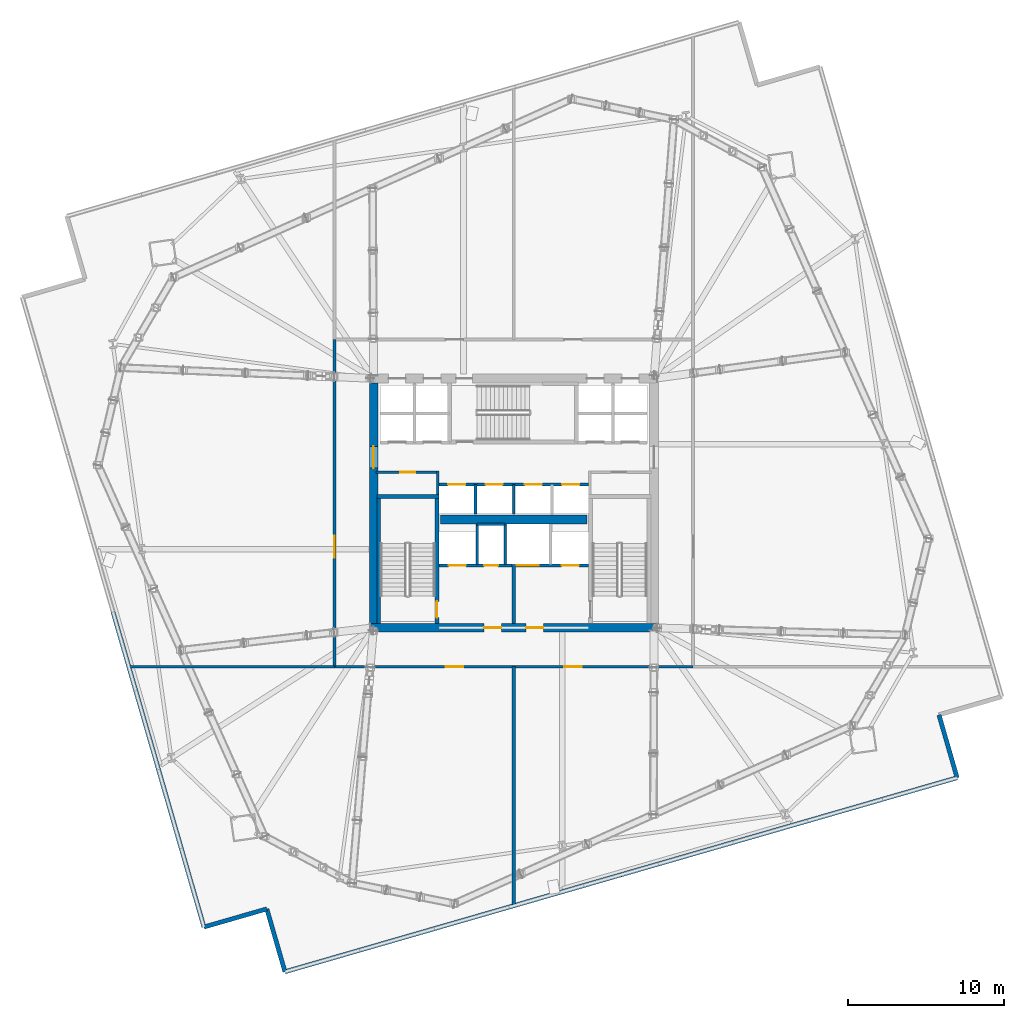
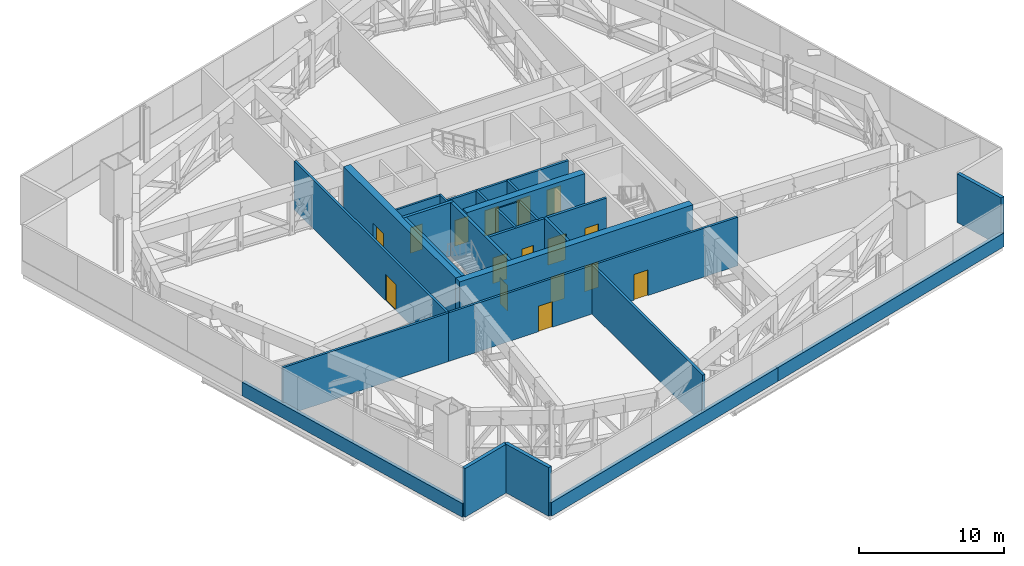
# One storey, part 12 of 19: 27 walls, 16 doors, 16 openings.
"""IFC4 building model written with IfcOpenShell, lengths in metres."""

from ifc_helpers import new_model, si_unit, direction, frame, frame_2d, origin, place, context, subcontext, project, spatial, rectangle, extrude, material, layer, layer_set, type_object, element, fill, save


model = new_model("IFC4")

# Units and contexts
model_context = context("Model", 3, precision=1e-05, world=origin(), true_north=direction((0.0, 1.0)))
body_context = subcontext(model_context, "Body", "Model", "MODEL_VIEW")
ifc_project = project(units=[si_unit("LENGTHUNIT", "METRE"), si_unit("AREAUNIT", "SQUARE_METRE"), si_unit("VOLUMEUNIT", "CUBIC_METRE"), si_unit("PLANEANGLEUNIT", "RADIAN"), si_unit("MASSUNIT", "GRAM", prefix="KILO")], contexts=[model_context])

# Site, building, storey
site_placement = place(None, origin())
site = spatial("IfcSite", under=ifc_project, at=site_placement, CompositionType="ELEMENT")
building_placement = place(site_placement, origin())
building = spatial("IfcBuilding", under=site, at=building_placement, Name="Haldenkirk Collegiate Tower", CompositionType="ELEMENT")
storey_placement = place(building_placement, frame((0.0, 0.0, 81.449951171875)))
storey = spatial("IfcBuildingStorey", under=building, at=storey_placement, Name="L19", CompositionType="ELEMENT", Elevation=81.449951171875)

# Wall, openings, doors
ifc_material_1 = material(Name="Concrete f'c 70 MPa", Category="concrete")
ifc_layer_1 = layer(ifc_material_1, 0.550048828125)
ifc_layer_set_1 = layer_set([ifc_layer_1], Name="Concrete f'c 70 MPa")
wall_type_1 = type_object("IfcWallType", Name="WL-CORE-550", PredefinedType="SHEAR", material=ifc_layer_set_1)
wall_1_placement = place(storey_placement, frame((26.72509765625, 18.0, 0.0), z_axis=(0.0, 0.0, 1.0), x_axis=(1.0, 0.0, 0.0)))
wall_1 = element("IfcWall", 1, at=wall_1_placement, inside=storey, type_object=wall_type_1, Name="L19 central core shear wall S", PredefinedType="SHEAR", context=body_context, shape_type="SweptSolid", body=[
    extrude(rectangle(XDim=18.5498046875, YDim=0.550048828125, at=frame_2d((9.27490234375, 0.0))), origin(), (0.0, 0.0, 1.0), 4.5),
])
opening_1_placement = place(wall_1_placement, frame((7.375, 0.0, 0.0)))
opening_1 = element("IfcOpeningElement", 2, at=opening_1_placement, cuts=wall_1, Name="Opening D-02", PredefinedType="OPENING", context=body_context, shape_type="SweptSolid", body=[
    extrude(rectangle(XDim=1.10009765625, YDim=2.14990234375, at=frame_2d((0.550048828125, 1.074951171875))), frame((0.0, 0.284912109375, 0.0), z_axis=(0.0, -1.0, 0.0), x_axis=(1.0, 0.0, 0.0)), (0.0, 0.0, 1.0), 0.570068359375),
])
opening_2_placement = place(wall_1_placement, frame((10.074951171875, 0.0, 0.0)))
opening_2 = element("IfcOpeningElement", 3, at=opening_2_placement, cuts=wall_1, Name="Opening D-02", PredefinedType="OPENING", context=body_context, shape_type="SweptSolid", body=[
    extrude(rectangle(XDim=1.10009765625, YDim=2.14990234375, at=frame_2d((0.550048828125, 1.074951171875))), frame((0.0, 0.284912109375, 0.0), z_axis=(0.0, -1.0, 0.0), x_axis=(1.0, 0.0, 0.0)), (0.0, 0.0, 1.0), 0.570068359375),
])
ifc_material_2 = material(Name="Galvanized fire-rated hollow steel door", Category="steel")
ifc_layer_2 = layer(ifc_material_2, 0.06005859375)
ifc_layer_set_2 = layer_set([ifc_layer_2], Name="Galvanized fire-rated hollow steel door")
door_type_1 = type_object("IfcDoorType", Name="DR-STAIR-FD90-1100", OperationType="NOTDEFINED", PredefinedType="DOOR", material=ifc_layer_set_2)
door_1_placement = place(opening_1_placement, origin())
door_1 = element("IfcDoor", 4, at=door_1_placement, inside=storey, type_object=door_type_1, Name="L19 Firefighting Lobby 1 door", OperationType="SINGLE_SWING_RIGHT", OverallHeight=2.14990234375, OverallWidth=1.10009765625, PredefinedType="DOOR", context=body_context, shape_type="SweptSolid", body=[
    extrude(rectangle(XDim=1.10009765625, YDim=2.14990234375, at=frame_2d((0.550048828125, 1.074951171875))), frame((0.0, 0.02490234375, 0.0), z_axis=(0.0, -1.0, 0.0), x_axis=(1.0, 0.0, 0.0)), (0.0, 0.0, 1.0), 0.050048828125),
])
fill(opening_1, door_1)
door_2_placement = place(opening_2_placement, origin())
door_2 = element("IfcDoor", 5, at=door_2_placement, inside=storey, type_object=door_type_1, Name="L19 Firefighting Lobby 2 door", OperationType="SINGLE_SWING_LEFT", OverallHeight=2.14990234375, OverallWidth=1.10009765625, PredefinedType="DOOR", context=body_context, shape_type="SweptSolid", body=[
    extrude(rectangle(XDim=1.10009765625, YDim=2.14990234375, at=frame_2d((0.550048828125, 1.074951171875))), frame((0.0, 0.02490234375, 0.0), z_axis=(0.0, -1.0, 0.0), x_axis=(1.0, 0.0, 0.0)), (0.0, 0.0, 1.0), 0.050048828125),
])
fill(opening_2, door_2)

# Wall, opening, door
wall_2_placement = place(storey_placement, frame((27.0, 18.27490234375, 0.0), z_axis=(0.0, 0.0, 1.0), x_axis=(0.0, 1.0, 0.0)))
wall_2 = element("IfcWall", 6, at=wall_2_placement, inside=storey, type_object=wall_type_1, Name="L19 central core shear wall W", PredefinedType="SHEAR", context=body_context, shape_type="SweptSolid", body=[
    extrude(rectangle(XDim=15.4501953125, YDim=0.550048828125, at=frame_2d((7.72509765625, 0.0))), origin(), (0.0, 0.0, 1.0), 4.5),
])
opening_3_placement = place(wall_2_placement, frame((9.965087890625, 0.0, 0.0)))
opening_3 = element("IfcOpeningElement", 7, at=opening_3_placement, cuts=wall_2, Name="Opening D-03", PredefinedType="OPENING", context=body_context, shape_type="SweptSolid", body=[
    extrude(rectangle(XDim=1.39990234375, YDim=2.199951171875, at=frame_2d((0.699951171875, 1.10009765625))), frame((0.0, 0.284912109375, 0.0), z_axis=(0.0, -1.0, 0.0), x_axis=(1.0, 0.0, 0.0)), (0.0, 0.0, 1.0), 0.570068359375),
])
ifc_layer_3 = layer(ifc_material_2, 0.06005859375)
ifc_layer_set_3 = layer_set([ifc_layer_3], Name="Galvanized fire-rated hollow steel door")
door_type_2 = type_object("IfcDoorType", Name="DR-LOBBY-FD90-1400", OperationType="NOTDEFINED", PredefinedType="DOOR", material=ifc_layer_set_3)
door_3_placement = place(opening_3_placement, origin())
door_3 = element("IfcDoor", 8, at=door_3_placement, inside=storey, type_object=door_type_2, Name="L19 west lift lobby portal", OperationType="DOUBLE_DOOR_SINGLE_SWING", OverallHeight=2.199951171875, OverallWidth=1.39990234375, PredefinedType="DOOR", context=body_context, shape_type="SweptSolid", body=[
    extrude(rectangle(XDim=1.39990234375, YDim=2.199951171875, at=frame_2d((0.699951171875, 1.10009765625))), frame((0.0, 0.02490234375, 0.0), z_axis=(0.0, -1.0, 0.0), x_axis=(1.0, 0.0, 0.0)), (0.0, 0.0, 1.0), 0.050048828125),
])
fill(opening_3, door_3)

# Walls
wall_3_placement = place(storey_placement, frame((31.31005859375, 24.949951171875, 0.0), z_axis=(0.0, 0.0, 1.0), x_axis=(1.0, 0.0, 0.0)))
element("IfcWall", 9, at=wall_3_placement, inside=storey, type_object=wall_type_1, Name="L19 central core spine shear wall", PredefinedType="SHEAR", context=body_context, shape_type="SweptSolid", body=[
    extrude(rectangle(XDim=9.3798828125, YDim=0.550048828125, at=frame_2d((4.68994140625, 0.0))), origin(), (0.0, 0.0, 1.0), 4.5),
])
ifc_material_3 = material(Name="Precast concrete f'c 40 MPa", Category="concrete")
ifc_layer_4 = layer(ifc_material_3, 0.280029296875)
ifc_layer_set_4 = layer_set([ifc_layer_4], Name="Precast concrete f'c 40 MPa")
wall_type_2 = type_object("IfcWallType", Name="WL-EXT-PLT-280", PredefinedType="STANDARD", material=ifc_layer_set_4)
for number, where, z_axis, x_axis, name in (
    (10, (64.453857421875, 8.37451171875, 0.0), (0.0, 0.0, 1.0), (-0.960778077815, -0.277318382351, 0.0), "L19 plant room precast spandrel 01A"),
    (11, (42.88427734375, 2.148681640625, 0.0), (0.0, 0.0, 1.0), (-0.960778077815, -0.277318382351, 0.0), "L19 plant room precast spandrel 01B"),
):
    element("IfcWall", number, at=place(storey_placement, frame(where, z_axis=z_axis, x_axis=x_axis)), inside=storey, type_object=wall_type_2, Name=name, PredefinedType="STANDARD", context=body_context, shape_type="SweptSolid", body=[
        extrude(rectangle(XDim=22.4501953125, YDim=0.280029296875, at=frame_2d((11.22509765625, 0.0))), origin(), (0.0, 0.0, 1.0), 1.150146484375),
    ])
wall_4_placement = place(storey_placement, frame((63.2890625, 12.40966796875, 0.0), z_axis=(0.0, 0.0, 1.0), x_axis=(0.277338152402, -0.96077237118, 0.0)))
element("IfcWall", 12, at=wall_4_placement, inside=storey, type_object=wall_type_2, Name="L19 plant corner precast wall 02", PredefinedType="STANDARD", context=body_context, shape_type="SweptSolid", body=[
    extrude(rectangle(XDim=4.199951171875, YDim=0.280029296875, at=frame_2d((2.10009765625, 0.0))), origin(), (0.0, 0.0, 1.0), 4.090087890625),
])
wall_5_placement = place(storey_placement, frame((16.114990234375, -1.20654296875, 0.0), z_axis=(0.0, 0.0, 1.0), x_axis=(-0.277324234332, 0.960776388684, 0.0)))
element("IfcWall", 13, at=wall_5_placement, inside=storey, type_object=wall_type_2, Name="L19 plant room precast spandrel 10A", PredefinedType="STANDARD", context=body_context, shape_type="SweptSolid", body=[
    extrude(rectangle(XDim=21.03759765625, YDim=0.280029296875, at=frame_2d((10.518798828125, 0.0))), origin(), (0.0, 0.0, 1.0), 1.150146484375),
])
wall_6_placement = place(storey_placement, frame((20.150146484375, -0.041748046875, 0.0), z_axis=(0.0, 0.0, 1.0), x_axis=(-0.96077237118, -0.277338152402, 0.0)))
element("IfcWall", 14, at=wall_6_placement, inside=storey, type_object=wall_type_2, Name="L19 plant corner precast wall 11", PredefinedType="STANDARD", context=body_context, shape_type="SweptSolid", body=[
    extrude(rectangle(XDim=4.199951171875, YDim=0.280029296875, at=frame_2d((2.10009765625, 0.0))), origin(), (0.0, 0.0, 1.0), 4.090087890625),
])
wall_7_placement = place(storey_placement, frame((21.314697265625, -4.0771484375, 0.0), z_axis=(0.0, 0.0, 1.0), x_axis=(-0.277269006351, 0.960792328298, 0.0)))
element("IfcWall", 15, at=wall_7_placement, inside=storey, type_object=wall_type_2, Name="L19 plant corner precast wall 12", PredefinedType="STANDARD", context=body_context, shape_type="SweptSolid", body=[
    extrude(rectangle(XDim=4.2001953125, YDim=0.280029296875, at=frame_2d((2.10009765625, 0.0))), origin(), (0.0, 0.0, 1.0), 4.090087890625),
])

# Wall, opening, door
ifc_material_4 = material(Name="Acoustic fire-rated gypsum partition", Category="concrete")
ifc_layer_5 = layer(ifc_material_4, 0.159912109375)
ifc_layer_set_5 = layer_set([ifc_layer_5], Name="Acoustic fire-rated gypsum partition")
wall_type_3 = type_object("IfcWallType", Name="WL-INT-CORR-160", PredefinedType="PARTITIONING", material=ifc_layer_set_5)
wall_8_placement = place(storey_placement, frame((27.14990234375, 27.97998046875, 0.0), z_axis=(0.0, 0.0, 1.0), x_axis=(1.0, 0.0, 0.0)))
wall_8 = element("IfcWall", 16, at=wall_8_placement, inside=storey, type_object=wall_type_3, Name="L19 interior partition IW-L19-VCSW-N", PredefinedType="PARTITIONING", context=body_context, shape_type="SweptSolid", body=[
    extrude(rectangle(XDim=4.050048828125, YDim=0.159912109375, at=frame_2d((2.02490234375, 0.0))), origin(), (0.0, 0.0, 1.0), 4.090087890625),
])
opening_4_placement = place(wall_8_placement, frame((1.574951171875, 0.0, 0.0)))
opening_4 = element("IfcOpeningElement", 17, at=opening_4_placement, cuts=wall_8, Name="Opening D-10", PredefinedType="OPENING", context=body_context, shape_type="SweptSolid", body=[
    extrude(rectangle(XDim=0.949951171875, YDim=2.14990234375, at=frame_2d((0.47509765625, 1.074951171875))), frame((0.0, 0.08984375, 0.0), z_axis=(0.0, -1.0, 0.0), x_axis=(1.0, 0.0, 0.0)), (0.0, 0.0, 1.0), 0.179931640625),
])
ifc_material_5 = material(Name="Solid-core architectural oak fire door", Category="wood")
ifc_layer_6 = layer(ifc_material_5, 0.06005859375)
ifc_layer_set_6 = layer_set([ifc_layer_6], Name="Solid-core architectural oak fire door")
door_type_3 = type_object("IfcDoorType", Name="DR-INT-FD60-950", OperationType="NOTDEFINED", PredefinedType="DOOR", material=ifc_layer_set_6)
door_4_placement = place(opening_4_placement, origin())
door_4 = element("IfcDoor", 18, at=door_4_placement, inside=storey, type_object=door_type_3, Name="L19 core electrical door", OperationType="SINGLE_SWING_LEFT", OverallHeight=2.14990234375, OverallWidth=0.949951171875, PredefinedType="DOOR", context=body_context, shape_type="SweptSolid", body=[
    extrude(rectangle(XDim=0.949951171875, YDim=2.14990234375, at=frame_2d((0.47509765625, 1.074951171875))), frame((0.0, 0.02490234375, 0.0), z_axis=(0.0, -1.0, 0.0), x_axis=(1.0, 0.0, 0.0)), (0.0, 0.0, 1.0), 0.050048828125),
])
fill(opening_4, door_4)

# Walls
wall_9_placement = place(storey_placement, frame((31.1201171875, 26.5400390625, 0.0), z_axis=(0.0, 0.0, 1.0), x_axis=(0.0, 1.0, 0.0)))
element("IfcWall", 19, at=wall_9_placement, inside=storey, type_object=wall_type_3, Name="L19 interior partition IW-L19-VCSW-E", PredefinedType="PARTITIONING", context=body_context, shape_type="SweptSolid", body=[
    extrude(rectangle(XDim=1.510009765625, YDim=0.159912109375, at=frame_2d((0.7548828125, 0.0))), origin(), (0.0, 0.0, 1.0), 4.090087890625),
])
ifc_material_6 = material(Name="Fire-rated gypsum shaftboard assembly", Category="concrete")
ifc_layer_7 = layer(ifc_material_6, 0.179931640625)
ifc_layer_set_7 = layer_set([ifc_layer_7], Name="Fire-rated gypsum shaftboard assembly")
wall_type_4 = type_object("IfcWallType", Name="WL-INT-SHAFT-180", PredefinedType="PARTITIONING", material=ifc_layer_set_7)
for number, where, z_axis, x_axis, name in (
    (20, (33.64990234375, 22.050048828125, 0.0), (0.0, 0.0, 1.0), (0.0, 1.0, 0.0), "L19 interior partition IW-L19-FL1E"),
    (21, (35.449951171875, 22.050048828125, 0.0), (0.0, 0.0, 1.0), (0.0, 1.0, 0.0), "L19 interior partition IW-L19-GL1W"),
):
    element("IfcWall", number, at=place(storey_placement, frame(where, z_axis=z_axis, x_axis=x_axis)), inside=storey, type_object=wall_type_4, Name=name, PredefinedType="PARTITIONING", context=body_context, shape_type="SweptSolid", body=[
        extrude(rectangle(XDim=2.599853515625, YDim=0.179931640625, at=frame_2d((1.2998046875, 0.0))), origin(), (0.0, 0.0, 1.0), 4.090087890625),
    ])
wall_10_placement = place(storey_placement, frame((33.64990234375, 24.64990234375, 0.0), z_axis=(0.0, 0.0, 1.0), x_axis=(1.0, 0.0, 0.0)))
element("IfcWall", 22, at=wall_10_placement, inside=storey, type_object=wall_type_4, Name="L19 interior partition IW-L19-RSRN", PredefinedType="PARTITIONING", context=body_context, shape_type="SweptSolid", body=[
    extrude(rectangle(XDim=1.800048828125, YDim=0.179931640625, at=frame_2d((0.89990234375, 0.0))), origin(), (0.0, 0.0, 1.0), 4.090087890625),
])

# Wall, openings, doors
wall_11_placement = place(storey_placement, frame((31.199951171875, 27.199951171875, 0.0), z_axis=(0.0, 0.0, 1.0), x_axis=(1.0, 0.0, 0.0)))
wall_11 = element("IfcWall", 23, at=wall_11_placement, inside=storey, type_object=wall_type_4, Name="L19 interior partition IW-L19-PHN", PredefinedType="PARTITIONING", context=body_context, shape_type="SweptSolid", body=[
    extrude(rectangle(XDim=9.60009765625, YDim=0.179931640625, at=frame_2d((4.800048828125, 0.0))), origin(), (0.0, 0.0, 1.0), 4.090087890625),
])
opening_5_placement = place(wall_11_placement, frame((0.590087890625, 0.0, 0.0)))
opening_5 = element("IfcOpeningElement", 24, at=opening_5_placement, cuts=wall_11, Name="Opening LD-11", PredefinedType="OPENING", context=body_context, shape_type="SweptSolid", body=[
    extrude(rectangle(XDim=1.10009765625, YDim=2.14990234375, at=frame_2d((0.550048828125, 1.074951171875))), frame((0.0, 0.099853515625, 0.0), z_axis=(0.0, -1.0, 0.0), x_axis=(1.0, 0.0, 0.0)), (0.0, 0.0, 1.0), 0.199951171875),
])
opening_6_placement = place(wall_11_placement, frame((2.989990234375, 0.0, 0.0)))
opening_6 = element("IfcOpeningElement", 25, at=opening_6_placement, cuts=wall_11, Name="Opening LD-11", PredefinedType="OPENING", context=body_context, shape_type="SweptSolid", body=[
    extrude(rectangle(XDim=1.10009765625, YDim=2.14990234375, at=frame_2d((0.550048828125, 1.074951171875))), frame((0.0, 0.099853515625, 0.0), z_axis=(0.0, -1.0, 0.0), x_axis=(1.0, 0.0, 0.0)), (0.0, 0.0, 1.0), 0.199951171875),
])
opening_7_placement = place(wall_11_placement, frame((5.510009765625, 0.0, 0.0)))
opening_7 = element("IfcOpeningElement", 26, at=opening_7_placement, cuts=wall_11, Name="Opening LD-11", PredefinedType="OPENING", context=body_context, shape_type="SweptSolid", body=[
    extrude(rectangle(XDim=1.10009765625, YDim=2.14990234375, at=frame_2d((0.550048828125, 1.074951171875))), frame((0.0, 0.099853515625, 0.0), z_axis=(0.0, -1.0, 0.0), x_axis=(1.0, 0.0, 0.0)), (0.0, 0.0, 1.0), 0.199951171875),
])
opening_8_placement = place(wall_11_placement, frame((7.909912109375, 0.0, 0.0)))
opening_8 = element("IfcOpeningElement", 27, at=opening_8_placement, cuts=wall_11, Name="Opening LD-11", PredefinedType="OPENING", context=body_context, shape_type="SweptSolid", body=[
    extrude(rectangle(XDim=1.10009765625, YDim=2.14990234375, at=frame_2d((0.550048828125, 1.074951171875))), frame((0.0, 0.099853515625, 0.0), z_axis=(0.0, -1.0, 0.0), x_axis=(1.0, 0.0, 0.0)), (0.0, 0.0, 1.0), 0.199951171875),
])
ifc_material_7 = material(Name="Brushed architectural stainless steel", Category="steel")
ifc_layer_8 = layer(ifc_material_7, 0.06005859375)
ifc_layer_set_8 = layer_set([ifc_layer_8], Name="Brushed architectural stainless steel")
door_type_4 = type_object("IfcDoorType", Name="LD-PASS-1100", OperationType="NOTDEFINED", PredefinedType="DOOR", material=ifc_layer_set_8)
door_5_placement = place(opening_5_placement, origin())
door_5 = element("IfcDoor", 28, at=door_5_placement, inside=storey, type_object=door_type_4, Name="L19 Elevator PH1 sliding landing door", OperationType="SLIDING_TO_LEFT", OverallHeight=2.14990234375, OverallWidth=1.10009765625, PredefinedType="DOOR", context=body_context, shape_type="SweptSolid", body=[
    extrude(rectangle(XDim=1.10009765625, YDim=2.14990234375, at=frame_2d((0.550048828125, 1.074951171875))), frame((0.0, 0.02490234375, 0.0), z_axis=(0.0, -1.0, 0.0), x_axis=(1.0, 0.0, 0.0)), (0.0, 0.0, 1.0), 0.050048828125),
])
fill(opening_5, door_5)
door_6_placement = place(opening_6_placement, origin())
door_6 = element("IfcDoor", 29, at=door_6_placement, inside=storey, type_object=door_type_4, Name="L19 Elevator PH2 sliding landing door", OperationType="SLIDING_TO_LEFT", OverallHeight=2.14990234375, OverallWidth=1.10009765625, PredefinedType="DOOR", context=body_context, shape_type="SweptSolid", body=[
    extrude(rectangle(XDim=1.10009765625, YDim=2.14990234375, at=frame_2d((0.550048828125, 1.074951171875))), frame((0.0, 0.02490234375, 0.0), z_axis=(0.0, -1.0, 0.0), x_axis=(1.0, 0.0, 0.0)), (0.0, 0.0, 1.0), 0.050048828125),
])
fill(opening_6, door_6)
door_7_placement = place(opening_7_placement, origin())
door_7 = element("IfcDoor", 30, at=door_7_placement, inside=storey, type_object=door_type_4, Name="L19 Elevator PH3 sliding landing door", OperationType="SLIDING_TO_LEFT", OverallHeight=2.14990234375, OverallWidth=1.10009765625, PredefinedType="DOOR", context=body_context, shape_type="SweptSolid", body=[
    extrude(rectangle(XDim=1.10009765625, YDim=2.14990234375, at=frame_2d((0.550048828125, 1.074951171875))), frame((0.0, 0.02490234375, 0.0), z_axis=(0.0, -1.0, 0.0), x_axis=(1.0, 0.0, 0.0)), (0.0, 0.0, 1.0), 0.050048828125),
])
fill(opening_7, door_7)
door_8_placement = place(opening_8_placement, origin())
door_8 = element("IfcDoor", 31, at=door_8_placement, inside=storey, type_object=door_type_4, Name="L19 Elevator PH4 sliding landing door", OperationType="SLIDING_TO_LEFT", OverallHeight=2.14990234375, OverallWidth=1.10009765625, PredefinedType="DOOR", context=body_context, shape_type="SweptSolid", body=[
    extrude(rectangle(XDim=1.10009765625, YDim=2.14990234375, at=frame_2d((0.550048828125, 1.074951171875))), frame((0.0, 0.02490234375, 0.0), z_axis=(0.0, -1.0, 0.0), x_axis=(1.0, 0.0, 0.0)), (0.0, 0.0, 1.0), 0.050048828125),
])
fill(opening_8, door_8)

# Walls
for number, where, z_axis, x_axis, name in (
    (32, (33.5400390625, 25.300048828125, 0.0), (0.0, 0.0, 1.0), (0.0, 1.0, 0.0), "L19 interior partition IW-L19-PHV1"),
    (33, (36.0, 25.300048828125, 0.0), (0.0, 0.0, 1.0), (0.0, 1.0, 0.0), "L19 interior partition IW-L19-PHV2"),
):
    element("IfcWall", number, at=place(storey_placement, frame(where, z_axis=z_axis, x_axis=x_axis)), inside=storey, type_object=wall_type_4, Name=name, PredefinedType="PARTITIONING", context=body_context, shape_type="SweptSolid", body=[
        extrude(rectangle(XDim=1.89990234375, YDim=0.179931640625, at=frame_2d((0.949951171875, 0.0))), origin(), (0.0, 0.0, 1.0), 4.090087890625),
    ])

# Wall, openings, doors
wall_12_placement = place(storey_placement, frame((24.5, 15.5, 0.0), z_axis=(0.0, 0.0, 1.0), x_axis=(1.0, 0.0, 0.0)))
wall_12 = element("IfcWall", 34, at=wall_12_placement, inside=storey, type_object=wall_type_4, Name="L19 interior partition IW-L19-CS", PredefinedType="PARTITIONING", context=body_context, shape_type="SweptSolid", body=[
    extrude(rectangle(XDim=23.0, YDim=0.179931640625, at=frame_2d((11.5, 0.0))), origin(), (0.0, 0.0, 1.0), 4.090087890625),
])
opening_9_placement = place(wall_12_placement, frame((7.14990234375, 0.0, 0.0)))
opening_9 = element("IfcOpeningElement", 35, at=opening_9_placement, cuts=wall_12, Name="Opening D-02", PredefinedType="OPENING", context=body_context, shape_type="SweptSolid", body=[
    extrude(rectangle(XDim=1.10009765625, YDim=2.14990234375, at=frame_2d((0.550048828125, 1.074951171875))), frame((0.0, 0.099853515625, 0.0), z_axis=(0.0, -1.0, 0.0), x_axis=(1.0, 0.0, 0.0)), (0.0, 0.0, 1.0), 0.199951171875),
])
opening_10_placement = place(wall_12_placement, frame((14.75, 0.0, 0.0)))
opening_10 = element("IfcOpeningElement", 36, at=opening_10_placement, cuts=wall_12, Name="Opening D-02", PredefinedType="OPENING", context=body_context, shape_type="SweptSolid", body=[
    extrude(rectangle(XDim=1.10009765625, YDim=2.14990234375, at=frame_2d((0.550048828125, 1.074951171875))), frame((0.0, 0.099853515625, 0.0), z_axis=(0.0, -1.0, 0.0), x_axis=(1.0, 0.0, 0.0)), (0.0, 0.0, 1.0), 0.199951171875),
])
door_9_placement = place(opening_9_placement, origin())
door_9 = element("IfcDoor", 37, at=door_9_placement, inside=storey, type_object=door_type_1, Name="L19 west refuge door", OperationType="SINGLE_SWING_LEFT", OverallHeight=2.14990234375, OverallWidth=1.10009765625, PredefinedType="DOOR", context=body_context, shape_type="SweptSolid", body=[
    extrude(rectangle(XDim=1.10009765625, YDim=2.14990234375, at=frame_2d((0.550048828125, 1.074951171875))), frame((0.0, 0.02490234375, 0.0), z_axis=(0.0, -1.0, 0.0), x_axis=(1.0, 0.0, 0.0)), (0.0, 0.0, 1.0), 0.050048828125),
])
fill(opening_9, door_9)
door_10_placement = place(opening_10_placement, origin())
door_10 = element("IfcDoor", 38, at=door_10_placement, inside=storey, type_object=door_type_1, Name="L19 east refuge door", OperationType="SINGLE_SWING_RIGHT", OverallHeight=2.14990234375, OverallWidth=1.10009765625, PredefinedType="DOOR", context=body_context, shape_type="SweptSolid", body=[
    extrude(rectangle(XDim=1.10009765625, YDim=2.14990234375, at=frame_2d((0.550048828125, 1.074951171875))), frame((0.0, 0.02490234375, 0.0), z_axis=(0.0, -1.0, 0.0), x_axis=(1.0, 0.0, 0.0)), (0.0, 0.0, 1.0), 0.050048828125),
])
fill(opening_10, door_10)

# Wall, opening, door
wall_13_placement = place(storey_placement, frame((24.5, 15.5, 0.0), z_axis=(0.0, 0.0, 1.0), x_axis=(0.0, 1.0, 0.0)))
wall_13 = element("IfcWall", 39, at=wall_13_placement, inside=storey, type_object=wall_type_4, Name="L19 interior partition IW-L19-CW", PredefinedType="PARTITIONING", context=body_context, shape_type="SweptSolid", body=[
    extrude(rectangle(XDim=21.0, YDim=0.179931640625, at=frame_2d((10.5, 0.0))), origin(), (0.0, 0.0, 1.0), 4.090087890625),
])
opening_11_placement = place(wall_13_placement, frame((7.0, 0.0, 0.0)))
opening_11 = element("IfcOpeningElement", 40, at=opening_11_placement, cuts=wall_13, Name="Opening D-03", PredefinedType="OPENING", context=body_context, shape_type="SweptSolid", body=[
    extrude(rectangle(XDim=1.39990234375, YDim=2.199951171875, at=frame_2d((0.699951171875, 1.10009765625))), frame((0.0, 0.099853515625, 0.0), z_axis=(0.0, -1.0, 0.0), x_axis=(1.0, 0.0, 0.0)), (0.0, 0.0, 1.0), 0.199951171875),
])
door_11_placement = place(opening_11_placement, origin())
door_11 = element("IfcDoor", 41, at=door_11_placement, inside=storey, type_object=door_type_2, Name="L19 west plant door", OperationType="DOUBLE_DOOR_SINGLE_SWING", OverallHeight=2.199951171875, OverallWidth=1.39990234375, PredefinedType="DOOR", context=body_context, shape_type="SweptSolid", body=[
    extrude(rectangle(XDim=1.39990234375, YDim=2.199951171875, at=frame_2d((0.699951171875, 1.10009765625))), frame((0.0, 0.02490234375, 0.0), z_axis=(0.0, -1.0, 0.0), x_axis=(1.0, 0.0, 0.0)), (0.0, 0.0, 1.0), 0.050048828125),
])
fill(opening_11, door_11)

# Walls
wall_14_placement = place(storey_placement, frame((11.33447265625, 15.5, 0.0), z_axis=(0.0, 0.0, 1.0), x_axis=(1.0, 0.0, 0.0)))
element("IfcWall", 42, at=wall_14_placement, inside=storey, type_object=wall_type_4, Name="L19 interior partition IW-L19-PLTW", PredefinedType="PARTITIONING", context=body_context, shape_type="SweptSolid", body=[
    extrude(rectangle(XDim=13.16552734375, YDim=0.179931640625, at=frame_2d((6.582763671875, 0.0))), origin(), (0.0, 0.0, 1.0), 4.090087890625),
])
ifc_layer_9 = layer(ifc_material_6, 0.199951171875)
ifc_layer_set_9 = layer_set([ifc_layer_9], Name="Fire-rated gypsum shaftboard assembly")
wall_type_5 = type_object("IfcWallType", Name="WL-INT-SHAFT-200", PredefinedType="PARTITIONING", material=ifc_layer_set_9)
wall_15_placement = place(storey_placement, frame((36.0, 18.280029296875, 0.0), z_axis=(0.0, 0.0, 1.0), x_axis=(0.0, 1.0, 0.0)))
element("IfcWall", 43, at=wall_15_placement, inside=storey, type_object=wall_type_5, Name="L19 interior partition IW-L19-FFLM", PredefinedType="PARTITIONING", context=body_context, shape_type="SweptSolid", body=[
    extrude(rectangle(XDim=3.77001953125, YDim=0.199951171875, at=frame_2d((1.885009765625, 0.0))), origin(), (0.0, 0.0, 1.0), 4.090087890625),
])

# Wall, openings, doors
wall_16_placement = place(storey_placement, frame((31.18994140625, 22.0, 0.0), z_axis=(0.0, 0.0, 1.0), x_axis=(1.0, 0.0, 0.0)))
wall_16 = element("IfcWall", 44, at=wall_16_placement, inside=storey, type_object=wall_type_5, Name="L19 interior partition IW-L19-FFL1N", PredefinedType="PARTITIONING", context=body_context, shape_type="SweptSolid", body=[
    extrude(rectangle(XDim=4.68994140625, YDim=0.199951171875, at=frame_2d((2.344970703125, 0.0))), origin(), (0.0, 0.0, 1.0), 4.090087890625),
])
opening_12_placement = place(wall_16_placement, frame((2.909912109375, 0.0, 0.0)))
opening_12 = element("IfcOpeningElement", 45, at=opening_12_placement, cuts=wall_16, Name="Opening D-06", PredefinedType="OPENING", context=body_context, shape_type="SweptSolid", body=[
    extrude(rectangle(XDim=0.89990234375, YDim=2.14990234375, at=frame_2d((0.449951171875, 1.074951171875))), frame((0.0, 0.10986328125, 0.0), z_axis=(0.0, -1.0, 0.0), x_axis=(1.0, 0.0, 0.0)), (0.0, 0.0, 1.0), 0.219970703125),
])
opening_13_placement = place(wall_16_placement, frame((0.635009765625, 0.0, 0.0)))
opening_13 = element("IfcOpeningElement", 46, at=opening_13_placement, cuts=wall_16, Name="Opening LD-12", PredefinedType="OPENING", context=body_context, shape_type="SweptSolid", body=[
    extrude(rectangle(XDim=1.10009765625, YDim=2.14990234375, at=frame_2d((0.550048828125, 1.074951171875))), frame((0.0, 0.10986328125, 0.0), z_axis=(0.0, -1.0, 0.0), x_axis=(1.0, 0.0, 0.0)), (0.0, 0.0, 1.0), 0.219970703125),
])
ifc_layer_10 = layer(ifc_material_2, 0.06005859375)
ifc_layer_set_10 = layer_set([ifc_layer_10], Name="Galvanized fire-rated hollow steel door")
door_type_5 = type_object("IfcDoorType", Name="DR-INT-FD90-900", OperationType="NOTDEFINED", PredefinedType="DOOR", material=ifc_layer_set_10)
door_12_placement = place(opening_12_placement, origin())
door_12 = element("IfcDoor", 47, at=door_12_placement, inside=storey, type_object=door_type_5, Name="L19 electrical riser door", OperationType="SINGLE_SWING_RIGHT", OverallHeight=2.14990234375, OverallWidth=0.89990234375, PredefinedType="DOOR", context=body_context, shape_type="SweptSolid", body=[
    extrude(rectangle(XDim=0.89990234375, YDim=2.14990234375, at=frame_2d((0.449951171875, 1.074951171875))), frame((0.0, 0.02490234375, 0.0), z_axis=(0.0, -1.0, 0.0), x_axis=(1.0, 0.0, 0.0)), (0.0, 0.0, 1.0), 0.050048828125),
])
fill(opening_12, door_12)
ifc_layer_11 = layer(ifc_material_7, 0.06005859375)
ifc_layer_set_11 = layer_set([ifc_layer_11], Name="Brushed architectural stainless steel")
door_type_6 = type_object("IfcDoorType", Name="LD-FIRE-1100", OperationType="NOTDEFINED", PredefinedType="DOOR", material=ifc_layer_set_11)
door_13_placement = place(opening_13_placement, origin())
door_13 = element("IfcDoor", 48, at=door_13_placement, inside=storey, type_object=door_type_6, Name="L19 Elevator FL1 sliding landing door", OperationType="SLIDING_TO_LEFT", OverallHeight=2.14990234375, OverallWidth=1.10009765625, PredefinedType="DOOR", context=body_context, shape_type="SweptSolid", body=[
    extrude(rectangle(XDim=1.10009765625, YDim=2.14990234375, at=frame_2d((0.550048828125, 1.074951171875))), frame((0.0, 0.02490234375, 0.0), z_axis=(0.0, -1.0, 0.0), x_axis=(1.0, 0.0, 0.0)), (0.0, 0.0, 1.0), 0.050048828125),
])
fill(opening_13, door_13)

wall_17_placement = place(storey_placement, frame((36.1201171875, 22.0, 0.0), z_axis=(0.0, 0.0, 1.0), x_axis=(1.0, 0.0, 0.0)))
wall_17 = element("IfcWall", 49, at=wall_17_placement, inside=storey, type_object=wall_type_5, Name="L19 interior partition IW-L19-FFL2N", PredefinedType="PARTITIONING", context=body_context, shape_type="SweptSolid", body=[
    extrude(rectangle(XDim=4.68994140625, YDim=0.199951171875, at=frame_2d((2.344970703125, 0.0))), origin(), (0.0, 0.0, 1.0), 4.090087890625),
])
opening_14_placement = place(wall_17_placement, frame((2.955078125, 0.0, 0.0)))
opening_14 = element("IfcOpeningElement", 50, at=opening_14_placement, cuts=wall_17, Name="Opening LD-12", PredefinedType="OPENING", context=body_context, shape_type="SweptSolid", body=[
    extrude(rectangle(XDim=1.10009765625, YDim=2.14990234375, at=frame_2d((0.550048828125, 1.074951171875))), frame((0.0, 0.10986328125, 0.0), z_axis=(0.0, -1.0, 0.0), x_axis=(1.0, 0.0, 0.0)), (0.0, 0.0, 1.0), 0.219970703125),
])
opening_15_placement = place(wall_17_placement, frame((0.080078125, 0.0, 0.0)))
opening_15 = element("IfcOpeningElement", 51, at=opening_15_placement, cuts=wall_17, Name="Opening LD-13", PredefinedType="OPENING", context=body_context, shape_type="SweptSolid", body=[
    extrude(rectangle(XDim=1.39990234375, YDim=2.199951171875, at=frame_2d((0.699951171875, 1.10009765625))), frame((0.0, 0.10986328125, 0.0), z_axis=(0.0, -1.0, 0.0), x_axis=(1.0, 0.0, 0.0)), (0.0, 0.0, 1.0), 0.219970703125),
])
door_14_placement = place(opening_14_placement, origin())
door_14 = element("IfcDoor", 52, at=door_14_placement, inside=storey, type_object=door_type_6, Name="L19 Elevator FL2 sliding landing door", OperationType="SLIDING_TO_LEFT", OverallHeight=2.14990234375, OverallWidth=1.10009765625, PredefinedType="DOOR", context=body_context, shape_type="SweptSolid", body=[
    extrude(rectangle(XDim=1.10009765625, YDim=2.14990234375, at=frame_2d((0.550048828125, 1.074951171875))), frame((0.0, 0.02490234375, 0.0), z_axis=(0.0, -1.0, 0.0), x_axis=(1.0, 0.0, 0.0)), (0.0, 0.0, 1.0), 0.050048828125),
])
fill(opening_14, door_14)
ifc_layer_12 = layer(ifc_material_7, 0.06005859375)
ifc_layer_set_12 = layer_set([ifc_layer_12], Name="Brushed architectural stainless steel")
door_type_7 = type_object("IfcDoorType", Name="LD-GOODS-1400", OperationType="NOTDEFINED", PredefinedType="DOOR", material=ifc_layer_set_12)
door_15_placement = place(opening_15_placement, origin())
door_15 = element("IfcDoor", 53, at=door_15_placement, inside=storey, type_object=door_type_7, Name="L19 Elevator GL1 sliding landing door", OperationType="SLIDING_TO_LEFT", OverallHeight=2.199951171875, OverallWidth=1.39990234375, PredefinedType="DOOR", context=body_context, shape_type="SweptSolid", body=[
    extrude(rectangle(XDim=1.39990234375, YDim=2.199951171875, at=frame_2d((0.699951171875, 1.10009765625))), frame((0.0, 0.02490234375, 0.0), z_axis=(0.0, -1.0, 0.0), x_axis=(1.0, 0.0, 0.0)), (0.0, 0.0, 1.0), 0.050048828125),
])
fill(opening_15, door_15)

# Wall
wall_18_placement = place(storey_placement, frame((36.0, 0.203125, 0.0), z_axis=(0.0, 0.0, 1.0), x_axis=(0.0, 1.0, 0.0)))
element("IfcWall", 54, at=wall_18_placement, inside=storey, type_object=wall_type_5, Name="L19 interior partition IW-L19-REFS", PredefinedType="PARTITIONING", context=body_context, shape_type="SweptSolid", body=[
    extrude(rectangle(XDim=15.296875, YDim=0.199951171875, at=frame_2d((7.6484375, 0.0))), origin(), (0.0, 0.0, 1.0), 4.090087890625),
])

# Wall, opening, door
ifc_material_8 = material(Name="Concrete f'c 55 MPa", Category="concrete")
ifc_layer_13 = layer(ifc_material_8, 0.239990234375)
ifc_layer_set_13 = layer_set([ifc_layer_13], Name="Concrete f'c 55 MPa")
wall_type_6 = type_object("IfcWallType", Name="WL-SHAFT-240", PredefinedType="SHEAR", material=ifc_layer_set_13)
wall_19_placement = place(storey_placement, frame((31.070068359375, 18.280029296875, 0.0), z_axis=(0.0, 0.0, 1.0), x_axis=(0.0, 1.0, 0.0)))
wall_19 = element("IfcWall", 55, at=wall_19_placement, inside=storey, type_object=wall_type_6, Name="L19 stair shaft shear wall SW-L19-ST1E", PredefinedType="SHEAR", context=body_context, shape_type="SweptSolid", body=[
    extrude(rectangle(XDim=8.260009765625, YDim=0.239990234375, at=frame_2d((4.1298828125, 0.0))), origin(), (0.0, 0.0, 1.0), 4.5),
])
opening_16_placement = place(wall_19_placement, frame((0.364990234375, 0.0, 0.0)))
opening_16 = element("IfcOpeningElement", 56, at=opening_16_placement, cuts=wall_19, Name="Opening D-01", PredefinedType="OPENING", context=body_context, shape_type="SweptSolid", body=[
    extrude(rectangle(XDim=1.050048828125, YDim=2.14990234375, at=frame_2d((0.52490234375, 1.074951171875))), frame((0.0, 0.1298828125, 0.0), z_axis=(0.0, -1.0, 0.0), x_axis=(1.0, 0.0, 0.0)), (0.0, 0.0, 1.0), 0.260009765625),
])
ifc_layer_14 = layer(ifc_material_2, 0.06005859375)
ifc_layer_set_14 = layer_set([ifc_layer_14], Name="Galvanized fire-rated hollow steel door")
door_type_8 = type_object("IfcDoorType", Name="DR-STAIR-FD90-1050", OperationType="NOTDEFINED", PredefinedType="DOOR", material=ifc_layer_set_14)
door_16_placement = place(opening_16_placement, origin())
door_16 = element("IfcDoor", 57, at=door_16_placement, inside=storey, type_object=door_type_8, Name="L19 Stair 1 door", OperationType="SINGLE_SWING_LEFT", OverallHeight=2.14990234375, OverallWidth=1.050048828125, PredefinedType="DOOR", context=body_context, shape_type="SweptSolid", body=[
    extrude(rectangle(XDim=1.050048828125, YDim=2.14990234375, at=frame_2d((0.52490234375, 1.074951171875))), frame((0.0, 0.02490234375, 0.0), z_axis=(0.0, -1.0, 0.0), x_axis=(1.0, 0.0, 0.0)), (0.0, 0.0, 1.0), 0.050048828125),
])
fill(opening_16, door_16)

# Walls
wall_20_placement = place(storey_placement, frame((27.2099609375, 26.419921875, 0.0), z_axis=(0.0, 0.0, 1.0), x_axis=(1.0, 0.0, 0.0)))
element("IfcWall", 58, at=wall_20_placement, inside=storey, type_object=wall_type_6, Name="L19 stair shaft shear wall SW-L19-ST1N", PredefinedType="SHEAR", context=body_context, shape_type="SweptSolid", body=[
    extrude(rectangle(XDim=3.97998046875, YDim=0.239990234375, at=frame_2d((1.989990234375, 0.0))), origin(), (0.0, 0.0, 1.0), 4.5),
])
wall_21_placement = place(storey_placement, frame((27.330078125, 18.280029296875, 0.0), z_axis=(0.0, 0.0, 1.0), x_axis=(0.0, 1.0, 0.0)))
element("IfcWall", 59, at=wall_21_placement, inside=storey, type_object=wall_type_6, Name="L19 stair shaft shear wall SW-L19-ST1W", PredefinedType="SHEAR", context=body_context, shape_type="SweptSolid", body=[
    extrude(rectangle(XDim=8.260009765625, YDim=0.239990234375, at=frame_2d((4.1298828125, 0.0))), origin(), (0.0, 0.0, 1.0), 4.5),
])

save(model, "model.ifc")
